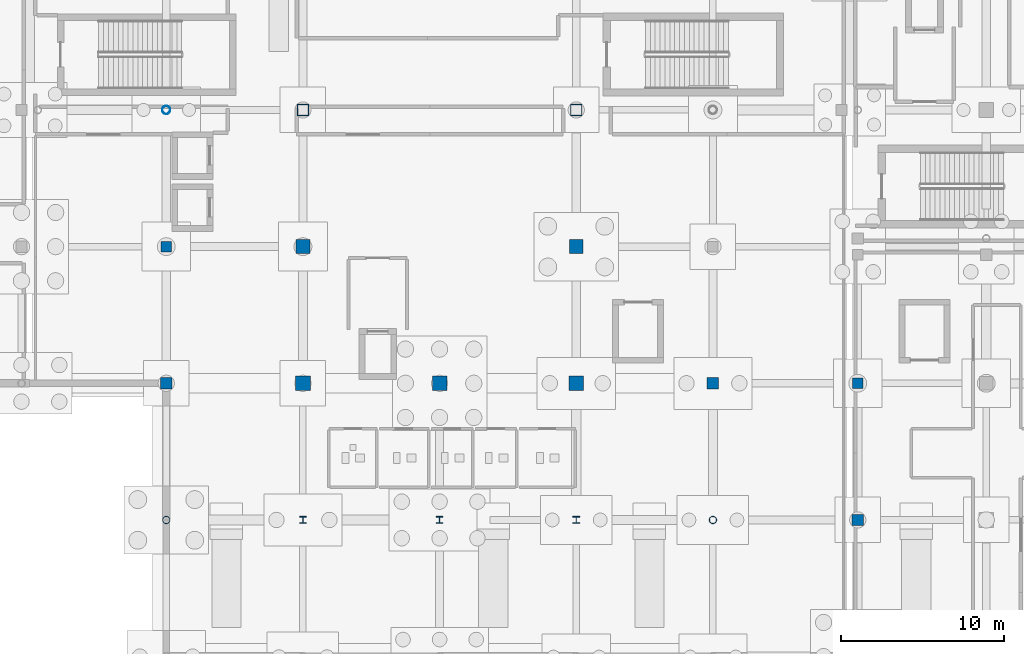
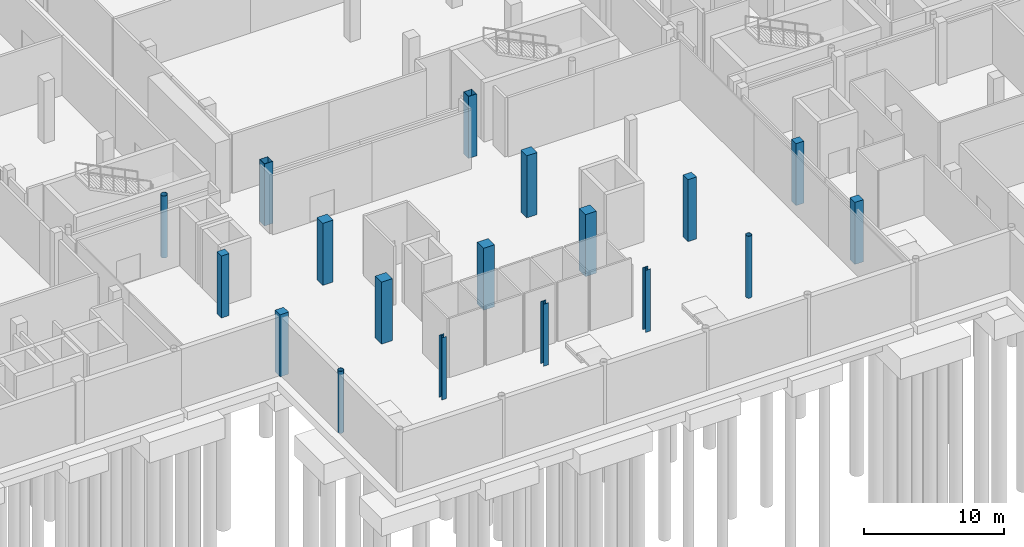
# One storey, part 10 of 49: 18 columns.
"""IFC4 building model written with IfcOpenShell, lengths in metres."""

import ifcopenshell
import ifcopenshell.guid

model = None  # the IFC model being written
_history = None  # IfcOwnerHistory: only IFC2X3 demands one
_inside = {}  # id of a spatial element -> (the spatial element, [elements in it])
_under = {}  # id of a project, library or spatial element -> (it, [spatial elements below it])
_declared = {}  # id of a project -> (the project, [libraries it declares])
_typed = {}  # id of a type object -> (the type object, [elements of that type])
_made_of = {}  # id of a material, layer set ... -> (it, [elements and type objects made of it])


def new_model(schema):
    """Start an empty IFC model of exactly this schema.

    Asked for "IFC4X3", IfcOpenShell would pick the latest addendum, in which some entities
    have other attributes; the version numbers below select the first issue.
    IFC2X3 requires an IfcOwnerHistory on every rooted entity: one is made here for all.
    """
    global model, _history
    if schema == "IFC4X3":
        model = ifcopenshell.file(schema_version=(4, 3, 0, 0))
    else:
        model = ifcopenshell.file(schema=schema)
    _inside.clear()
    _under.clear()
    _declared.clear()
    _typed.clear()
    _made_of.clear()
    _history = None
    if model.schema == "IFC2X3":
        org = make("IfcOrganization", Name="unknown")
        user = make(
            "IfcPersonAndOrganization",
            ThePerson=make("IfcPerson", FamilyName="unknown"),
            TheOrganization=org,
        )
        app = make(
            "IfcApplication",
            ApplicationDeveloper=org,
            Version="unknown",
            ApplicationFullName="unknown",
            ApplicationIdentifier="unknown",
        )
        _history = make(
            "IfcOwnerHistory",
            OwningUser=user,
            OwningApplication=app,
            ChangeAction="ADDED",
            CreationDate=0,
        )
    return model


def make(cls, **values):
    """One entity of the class cls with the attributes given. An attribute that is None is left unset."""
    return model.create_entity(
        cls, **{name: value for name, value in values.items() if value is not None}
    )


def rooted(cls, **values):
    """An entity with a GlobalId (a new one), such as an element, a storey or a relation."""
    return make(cls, GlobalId=ifcopenshell.guid.new(), OwnerHistory=_history, **values)


def si_unit(unit_type, name, prefix=None):
    """IfcSIUnit, for example si_unit("LENGTHUNIT", "METRE", prefix="MILLI")."""
    return make("IfcSIUnit", UnitType=unit_type, Prefix=prefix, Name=name)


def assignment(units):
    """IfcUnitAssignment: the units of a project."""
    return None if units is None else make("IfcUnitAssignment", Units=units)


def point(xyz):
    """IfcCartesianPoint."""
    return None if xyz is None else make("IfcCartesianPoint", Coordinates=xyz)


def direction(xyz):
    """IfcDirection."""
    return None if xyz is None else make("IfcDirection", DirectionRatios=xyz)


def frame(location, z_axis=None, x_axis=None):
    """IfcAxis2Placement3D, a coordinate frame: its origin and axes. An axis left out is left unset."""
    return make(
        "IfcAxis2Placement3D",
        Location=point(location),
        Axis=direction(z_axis),
        RefDirection=direction(x_axis),
    )


def frame_2d(location, x_axis=None):
    """IfcAxis2Placement2D, a coordinate frame in the plane: its origin and x axis."""
    return make(
        "IfcAxis2Placement2D", Location=point(location), RefDirection=direction(x_axis)
    )


def origin():
    """The frame at (0, 0, 0) with its axes left unset."""
    return frame((0.0, 0.0, 0.0))


def origin_2d():
    """The frame at (0, 0) in the plane with its x axis left unset."""
    return frame_2d((0.0, 0.0))


def place(relative_to, where):
    """IfcLocalPlacement: puts the frame where relative to a parent placement (None: the world)."""
    return make(
        "IfcLocalPlacement", PlacementRelTo=relative_to, RelativePlacement=where
    )


def context(
    kind, dimensions, precision=None, world=None, true_north=None, identifier=None
):
    """IfcGeometricRepresentationContext, for example the 3D "Model" context."""
    return make(
        "IfcGeometricRepresentationContext",
        ContextIdentifier=identifier,
        ContextType=kind,
        CoordinateSpaceDimension=dimensions,
        Precision=precision,
        WorldCoordinateSystem=world,
        TrueNorth=true_north,
    )


def subcontext(parent, identifier, kind, view, scale=None):
    """IfcGeometricRepresentationSubContext, for example "Body" below "Model"."""
    return make(
        "IfcGeometricRepresentationSubContext",
        ContextIdentifier=identifier,
        ContextType=kind,
        ParentContext=parent,
        TargetScale=scale,
        TargetView=view,
    )


def project(units=None, contexts=None):
    """IfcProject with its units and contexts."""
    return rooted(
        "IfcProject",
        Name="project",
        RepresentationContexts=contexts,
        UnitsInContext=assignment(units),
    )


def spatial(cls, under=None, at=None, **own):
    """A site, building, storey or space (cls), placed at a placement, below another one or the project."""
    s = rooted(cls, ObjectPlacement=at, **own)
    if under is not None:
        _under.setdefault(under.id(), (under, []))[1].append(s)
    return s


def profile(cls, at=None, kind="AREA", **sizes):
    """A parametric profile (cls). Its sizes go by their IFC names, for example OverallWidth=200.0."""
    return make(cls, ProfileType=kind, Position=at, **sizes)


def rectangle(**sizes):
    """IfcRectangleProfileDef."""
    return profile("IfcRectangleProfileDef", **sizes)


def hollow_rectangle(**sizes):
    """IfcRectangleHollowProfileDef."""
    return profile("IfcRectangleHollowProfileDef", **sizes)


def hollow_circle(**sizes):
    """IfcCircleHollowProfileDef."""
    return profile("IfcCircleHollowProfileDef", **sizes)


def i_section(**sizes):
    """IfcIShapeProfileDef."""
    return profile("IfcIShapeProfileDef", **sizes)


def extrude(swept, where, along, depth):
    """IfcExtrudedAreaSolid: the profile swept, set in the frame where, extruded along a direction by depth."""
    return make(
        "IfcExtrudedAreaSolid",
        SweptArea=swept,
        Position=where,
        ExtrudedDirection=direction(along),
        Depth=depth,
    )


def shape(context_of_items, identifier, shape_type, items):
    """IfcShapeRepresentation: the items that make up one representation, for example the "Body"."""
    return make(
        "IfcShapeRepresentation",
        ContextOfItems=context_of_items,
        RepresentationIdentifier=identifier,
        RepresentationType=shape_type,
        Items=items,
    )


def material(Name=None, Category=None):
    """IfcMaterial."""
    return make("IfcMaterial", Name=Name, Category=Category)


def material_profile(
    of_material, cross_section, Name=None, Category=None, Priority=None
):
    """IfcMaterialProfile: a cross section and its material."""
    return make(
        "IfcMaterialProfile",
        Name=Name,
        Material=of_material,
        Profile=cross_section,
        Priority=Priority,
        Category=Category,
    )


def profile_set(profiles, Name=None, composite=None):
    """IfcMaterialProfileSet."""
    return make(
        "IfcMaterialProfileSet",
        Name=Name,
        MaterialProfiles=profiles,
        CompositeProfile=composite,
    )


def made_of(thing, what):
    """Note that an element or type object is made of a material, layer set ...; save() writes the relation."""
    if what is not None:
        _made_of.setdefault(what.id(), (what, []))[1].append(thing)
    return thing


def type_object(cls, material=None, **own):
    """A type object (cls), such as IfcWallType, which elements share."""
    return made_of(rooted(cls, **own), material)


def element(
    cls,
    number,
    at=None,
    inside=None,
    cuts=None,
    type_object=None,
    material=None,
    context=None,
    identifier="Body",
    shape_type=None,
    held_by="IfcProductDefinitionShape",
    body=None,
    shapes=None,
    **own,
):
    """One element of the class cls, such as IfcWall. Its Tag is "e" and its number.

    at: its placement. inside: the storey or other place that contains it. cuts: it is an
    opening in that element (IfcRelVoidsElement). A single representation is given by context,
    identifier, shape_type and body (its items); several are given by shapes. held_by: the class
    of the entity that holds the representations. save() writes the other relations.
    """
    e = rooted(cls, Tag="e%d" % number, ObjectPlacement=at, **own)
    if body is not None:
        shapes = [shape(context, identifier, shape_type, body)]
    if shapes is not None:
        e.Representation = make(held_by, Representations=shapes)
    if inside is not None:
        _inside.setdefault(inside.id(), (inside, []))[1].append(e)
    if cuts is not None:
        rooted(
            "IfcRelVoidsElement", RelatingBuildingElement=cuts, RelatedOpeningElement=e
        )
    if type_object is not None:
        _typed.setdefault(type_object.id(), (type_object, []))[1].append(e)
    return made_of(e, material)


def aggregate(whole, parts):
    """IfcRelAggregates: a whole, such as a stair, and the parts it consists of."""
    return rooted("IfcRelAggregates", RelatingObject=whole, RelatedObjects=parts)


def save(model, path):
    """Write the relations noted so far, then the file.

    IfcRelAggregates (storeys below a building ...), IfcRelContainedInSpatialStructure (elements
    in a storey), IfcRelDefinesByType, IfcRelAssociatesMaterial and IfcRelDeclares: one each for
    every whole, place, type object, material and project.
    """
    for whole, parts in _under.values():
        aggregate(whole, parts)
    for where, things in _inside.values():
        rooted(
            "IfcRelContainedInSpatialStructure",
            RelatedElements=things,
            RelatingStructure=where,
        )
    for kind, things in _typed.values():
        rooted("IfcRelDefinesByType", RelatedObjects=things, RelatingType=kind)
    for what, things in _made_of.values():
        rooted("IfcRelAssociatesMaterial", RelatedObjects=things, RelatingMaterial=what)
    for by, libraries in _declared.values():
        rooted("IfcRelDeclares", RelatingContext=by, RelatedDefinitions=libraries)
    model.write(path)


model = new_model("IFC4")

# Units and contexts
model_context = context("Model", 3, precision=1e-05, world=origin(), true_north=direction((0.0, 1.0)))
body_context = subcontext(model_context, "Body", "Model", "MODEL_VIEW")
ifc_project = project(units=[si_unit("LENGTHUNIT", "METRE"), si_unit("AREAUNIT", "SQUARE_METRE"), si_unit("VOLUMEUNIT", "CUBIC_METRE"), si_unit("PLANEANGLEUNIT", "RADIAN"), si_unit("MASSUNIT", "GRAM", prefix="KILO"), si_unit("THERMODYNAMICTEMPERATUREUNIT", "KELVIN")], contexts=[model_context])

# Site, building, storey
site_placement = place(None, origin())
site = spatial("IfcSite", under=ifc_project, at=site_placement, CompositionType="ELEMENT")
building_placement = place(site_placement, origin())
building = spatial("IfcBuilding", under=site, at=building_placement, Name="Lustrewick Department Store", CompositionType="ELEMENT")
storey_placement = place(building_placement, frame((0.0, 0.0, -5.39990234375)))
storey = spatial("IfcBuildingStorey", under=building, at=storey_placement, Name="B1", CompositionType="ELEMENT", Elevation=-5.39990234375)

# Columns
ifc_material_1 = material(Name="Structural steel Q355C", Category="steel")
ifc_material_profile_1 = material_profile(ifc_material_1, hollow_rectangle(XDim=0.699951171875, YDim=0.699951171875, WallThickness=0.02587890625, at=origin_2d()), Name="BOX 700x700x26")
ifc_profile_set_1 = profile_set([ifc_material_profile_1], Name="Structural steel Q355C")
column_type_1 = type_object("IfcColumnType", Name="C02", PredefinedType="COLUMN", material=ifc_profile_set_1)
for number, where, z_axis, x_axis, name in (
    (1, (75.60009765625, 58.800048828125, 0.0), (0.0, 0.0, 1.0), (1.0, 0.0, 0.0), "B1 V2 Column C02"),
    (2, (92.39990234375, 58.800048828125, 0.0), (0.0, 0.0, 1.0), (1.0, 0.0, 0.0), "B1 V2 Column C02"),
):
    element("IfcColumn", number, at=place(storey_placement, frame(where, z_axis=z_axis, x_axis=x_axis)), inside=storey, type_object=column_type_1, Name=name, PredefinedType="COLUMN", context=body_context, shape_type="SweptSolid", body=[
        extrude(hollow_rectangle(XDim=0.699951171875, YDim=0.699951171875, WallThickness=0.02587890625, at=origin_2d()), origin(), (0.0, 0.0, 1.0), 5.39990234375),
    ])
ifc_material_profile_2 = material_profile(ifc_material_1, i_section(OverallWidth=0.406982421875, OverallDepth=0.427978515625, WebThickness=0.02001953125, FlangeThickness=0.034912109375, FilletRadius=0.02197265625, at=origin_2d()), Name="HW 428x407x20x35")
ifc_profile_set_2 = profile_set([ifc_material_profile_2], Name="Structural steel Q355C")
column_type_2 = type_object("IfcColumnType", Name="C09", PredefinedType="COLUMN", material=ifc_profile_set_2)
for number, where, z_axis, x_axis, name in (
    (3, (75.60009765625, 33.60009765625, 0.0), (0.0, 0.0, 1.0), (1.0, 0.0, 0.0), "B1 V2 Column C09"),
    (4, (84.0, 33.60009765625, 0.0), (0.0, 0.0, 1.0), (1.0, 0.0, 0.0), "B1 V2 Column C09"),
    (5, (92.39990234375, 33.60009765625, 0.0), (0.0, 0.0, 1.0), (1.0, 0.0, 0.0), "B1 V2 Column C09"),
):
    element("IfcColumn", number, at=place(storey_placement, frame(where, z_axis=z_axis, x_axis=x_axis)), inside=storey, type_object=column_type_2, Name=name, PredefinedType="COLUMN", context=body_context, shape_type="SweptSolid", body=[
        extrude(i_section(OverallWidth=0.406982421875, OverallDepth=0.427978515625, WebThickness=0.02001953125, FlangeThickness=0.034912109375, FilletRadius=0.02197265625, at=origin_2d()), origin(), (0.0, 0.0, 1.0), 5.39990234375),
    ])
ifc_material_2 = material(Name="Concrete C50", Category="concrete")
ifc_material_profile_3 = material_profile(ifc_material_2, rectangle(XDim=0.89990234375, YDim=0.89990234375, at=origin_2d()), Name="RC 900x900")
ifc_profile_set_3 = profile_set([ifc_material_profile_3], Name="Concrete C50")
column_type_3 = type_object("IfcColumnType", Name="C17", PredefinedType="COLUMN", material=ifc_profile_set_3)
for number, where, z_axis, x_axis, name in (
    (6, (75.60009765625, 42.0, 0.0), (0.0, 0.0, 1.0), (1.0, 0.0, 0.0), "B1 V2 Column C17"),
    (7, (84.0, 42.0, 0.0), (0.0, 0.0, 1.0), (1.0, 0.0, 0.0), "B1 V2 Column C17"),
    (8, (92.39990234375, 42.0, 0.0), (0.0, 0.0, 1.0), (1.0, 0.0, 0.0), "B1 V2 Column C17"),
):
    element("IfcColumn", number, at=place(storey_placement, frame(where, z_axis=z_axis, x_axis=x_axis)), inside=storey, type_object=column_type_3, Name=name, PredefinedType="COLUMN", context=body_context, shape_type="SweptSolid", body=[
        extrude(rectangle(XDim=0.89990234375, YDim=0.89990234375, at=origin_2d()), origin(), (0.0, 0.0, 1.0), 5.39990234375),
    ])
ifc_material_profile_4 = material_profile(ifc_material_2, rectangle(XDim=0.85009765625, YDim=0.85009765625, at=origin_2d()), Name="RC 850x850")
ifc_profile_set_4 = profile_set([ifc_material_profile_4], Name="Concrete C50")
column_type_4 = type_object("IfcColumnType", Name="C18", PredefinedType="COLUMN", material=ifc_profile_set_4)
for number, where, z_axis, x_axis, name in (
    (9, (75.60009765625, 50.39990234375, 0.0), (0.0, 0.0, 1.0), (1.0, 0.0, 0.0), "B1 V2 Column C18"),
    (10, (92.39990234375, 50.39990234375, 0.0), (0.0, 0.0, 1.0), (1.0, 0.0, 0.0), "B1 V2 Column C18"),
):
    element("IfcColumn", number, at=place(storey_placement, frame(where, z_axis=z_axis, x_axis=x_axis)), inside=storey, type_object=column_type_4, Name=name, PredefinedType="COLUMN", context=body_context, shape_type="SweptSolid", body=[
        extrude(rectangle(XDim=0.85009765625, YDim=0.85009765625, at=origin_2d()), origin(), (0.0, 0.0, 1.0), 5.39990234375),
    ])
ifc_material_profile_5 = material_profile(ifc_material_1, hollow_circle(Radius=0.25390625, WallThickness=0.01611328125, at=origin_2d()), Name="CHS 508x16")
ifc_profile_set_5 = profile_set([ifc_material_profile_5], Name="Structural steel Q355C")
column_type_5 = type_object("IfcColumnType", Name="CE01", PredefinedType="COLUMN", material=ifc_profile_set_5)
column_placement = place(storey_placement, frame((67.199951171875, 58.800048828125, 0.0), z_axis=(0.0, 0.0, 1.0), x_axis=(1.0, 0.0, 0.0)))
element("IfcColumn", 11, at=column_placement, inside=storey, type_object=column_type_5, Name="B1 V2 Column CE01", PredefinedType="COLUMN", context=body_context, shape_type="SweptSolid", body=[
    extrude(hollow_circle(Radius=0.25390625, WallThickness=0.01611328125, at=origin_2d()), origin(), (0.0, 0.0, 1.0), 5.39990234375),
])
ifc_material_profile_6 = material_profile(ifc_material_1, hollow_circle(Radius=0.228515625, WallThickness=0.01611328125, at=origin_2d()), Name="CHS 457x16")
ifc_profile_set_6 = profile_set([ifc_material_profile_6], Name="Structural steel Q355C")
column_type_6 = type_object("IfcColumnType", Name="CE02", PredefinedType="COLUMN", material=ifc_profile_set_6)
for number, where, z_axis, x_axis, name in (
    (12, (67.199951171875, 33.60009765625, 0.0), (0.0, 0.0, 1.0), (1.0, 0.0, 0.0), "B1 V2 Column CE02"),
    (13, (100.800048828125, 33.60009765625, 0.0), (0.0, 0.0, 1.0), (1.0, 0.0, 0.0), "B1 V2 Column CE02"),
):
    element("IfcColumn", number, at=place(storey_placement, frame(where, z_axis=z_axis, x_axis=x_axis)), inside=storey, type_object=column_type_6, Name=name, PredefinedType="COLUMN", context=body_context, shape_type="SweptSolid", body=[
        extrude(hollow_circle(Radius=0.228515625, WallThickness=0.01611328125, at=origin_2d()), origin(), (0.0, 0.0, 1.0), 5.39990234375),
    ])
ifc_material_3 = material(Name="Concrete C40", Category="concrete")
ifc_material_profile_7 = material_profile(ifc_material_3, rectangle(XDim=0.699951171875, YDim=0.699951171875, at=origin_2d()), Name="RC 700x700")
ifc_profile_set_7 = profile_set([ifc_material_profile_7], Name="Concrete C40")
column_type_7 = type_object("IfcColumnType", Name="CE06", PredefinedType="COLUMN", material=ifc_profile_set_7)
for number, where, z_axis, x_axis, name in (
    (14, (67.199951171875, 42.0, 0.0), (0.0, 0.0, 1.0), (1.0, 0.0, 0.0), "B1 V2 Column CE06"),
    (15, (100.800048828125, 42.0, 0.0), (0.0, 0.0, 1.0), (1.0, 0.0, 0.0), "B1 V2 Column CE06"),
    (16, (109.699951171875, 33.60009765625, 0.0), (0.0, 0.0, 1.0), (1.0, 0.0, 0.0), "B1 V3 Column CE06"),
):
    element("IfcColumn", number, at=place(storey_placement, frame(where, z_axis=z_axis, x_axis=x_axis)), inside=storey, type_object=column_type_7, Name=name, PredefinedType="COLUMN", context=body_context, shape_type="SweptSolid", body=[
        extrude(rectangle(XDim=0.699951171875, YDim=0.699951171875, at=origin_2d()), origin(), (0.0, 0.0, 1.0), 5.39990234375),
    ])
ifc_material_profile_8 = material_profile(ifc_material_3, rectangle(XDim=0.64990234375, YDim=0.64990234375, at=origin_2d()), Name="RC 650x650")
ifc_profile_set_8 = profile_set([ifc_material_profile_8], Name="Concrete C40")
column_type_8 = type_object("IfcColumnType", Name="CE07", PredefinedType="COLUMN", material=ifc_profile_set_8)
for number, where, z_axis, x_axis, name in (
    (17, (67.199951171875, 50.39990234375, 0.0), (0.0, 0.0, 1.0), (1.0, 0.0, 0.0), "B1 V2 Column CE07"),
    (18, (109.699951171875, 42.0, 0.0), (0.0, 0.0, 1.0), (1.0, 0.0, 0.0), "B1 V3 Column CE07"),
):
    element("IfcColumn", number, at=place(storey_placement, frame(where, z_axis=z_axis, x_axis=x_axis)), inside=storey, type_object=column_type_8, Name=name, PredefinedType="COLUMN", context=body_context, shape_type="SweptSolid", body=[
        extrude(rectangle(XDim=0.64990234375, YDim=0.64990234375, at=origin_2d()), origin(), (0.0, 0.0, 1.0), 5.39990234375),
    ])

save(model, "model.ifc")
